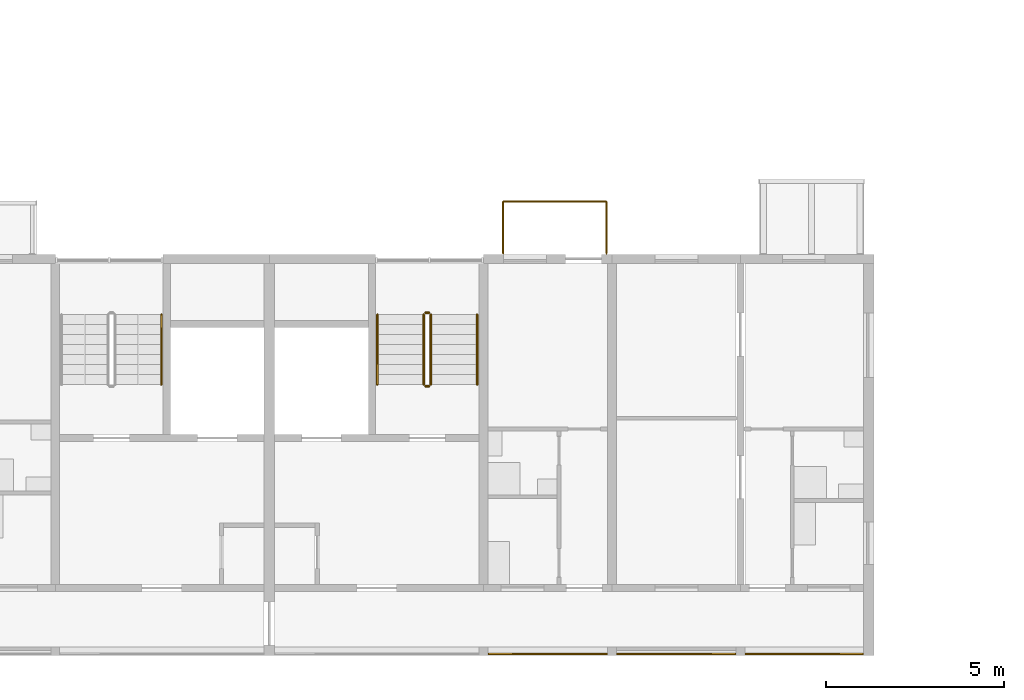
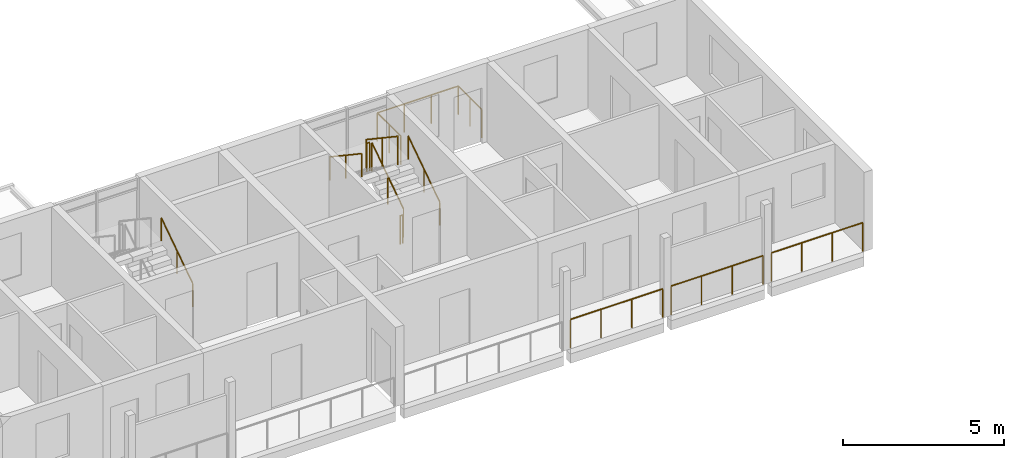
# One storey, part 83 of 98: 11 railings.
"""IFC4 building model written with IfcOpenShell, lengths in metres."""

from ifc_helpers import new_model, si_unit, direction, frame, origin, origin_2d, place, context, subcontext, project, spatial, circle, extrude, material, type_object, element, save


model = new_model("IFC4")

# Units and contexts
model_context = context("Model", 3, precision=1e-05, world=origin(), true_north=direction((0.0, 1.0)))
body_context = subcontext(model_context, "Body", "Model", "MODEL_VIEW")
ifc_project = project(units=[si_unit("LENGTHUNIT", "METRE"), si_unit("AREAUNIT", "SQUARE_METRE"), si_unit("VOLUMEUNIT", "CUBIC_METRE"), si_unit("PLANEANGLEUNIT", "RADIAN"), si_unit("MASSUNIT", "GRAM", prefix="KILO")], contexts=[model_context])

# Site, building, storey
site_placement = place(None, origin())
site = spatial("IfcSite", under=ifc_project, at=site_placement, CompositionType="ELEMENT")
building_placement = place(site_placement, origin())
building = spatial("IfcBuilding", under=site, at=building_placement, Name="Ridgestep Commons", CompositionType="ELEMENT")
storey_placement = place(building_placement, frame((0.0, 0.0, 12.0)))
storey = spatial("IfcBuildingStorey", under=building, at=storey_placement, Name="L04", CompositionType="ELEMENT", Elevation=12.0)

# Railings
ifc_material_1 = material(Name="Structural steel S355JR", Category="steel")
railing_type_1 = type_object("IfcRailingType", Name="Guard 1100", PredefinedType="GUARDRAIL", material=ifc_material_1)
railing_1_placement = place(storey_placement, frame((102.14599609375, 11.800048828125, 0.0)))
element("IfcRailing", 1, at=railing_1_placement, inside=storey, type_object=railing_type_1, Name="Gallery guard A 04.22", PredefinedType="GUARDRAIL", context=body_context, shape_type="SweptSolid", body=[
    extrude(circle(Radius=0.02392578125, at=origin_2d()), frame((0.0, 0.0, 1.076171875), z_axis=(1.0, 0.0, 0.0), x_axis=(0.0, 1.0, 0.0)), (0.0, 0.0, 1.0), 3.30810546875),
    extrude(circle(Radius=0.02099609375, at=origin_2d()), origin(), (0.0, 0.0, 1.0), 1.052001953125),
    extrude(circle(Radius=0.02099609375, at=origin_2d()), frame((1.102783203125, 0.0, 0.0)), (0.0, 0.0, 1.0), 1.052001953125),
    extrude(circle(Radius=0.02099609375, at=origin_2d()), frame((2.205322265625, 0.0, 0.0)), (0.0, 0.0, 1.0), 1.052001953125),
    extrude(circle(Radius=0.02099609375, at=origin_2d()), frame((3.30810546875, 0.0, 0.0)), (0.0, 0.0, 1.0), 1.052001953125),
])
railing_2_placement = place(storey_placement, frame((105.74609375, 11.800048828125, 0.0)))
element("IfcRailing", 2, at=railing_2_placement, inside=storey, type_object=railing_type_1, Name="Gallery guard A 04.23", PredefinedType="GUARDRAIL", context=body_context, shape_type="SweptSolid", body=[
    extrude(circle(Radius=0.02392578125, at=origin_2d()), frame((0.0, 0.0, 1.076171875), z_axis=(1.0, 0.0, 0.0), x_axis=(0.0, 1.0, 0.0)), (0.0, 0.0, 1.0), 3.307861328125),
    extrude(circle(Radius=0.02099609375, at=origin_2d()), origin(), (0.0, 0.0, 1.0), 1.052001953125),
    extrude(circle(Radius=0.02099609375, at=origin_2d()), frame((1.1025390625, 0.0, 0.0)), (0.0, 0.0, 1.0), 1.052001953125),
    extrude(circle(Radius=0.02099609375, at=origin_2d()), frame((2.205322265625, 0.0, 0.0)), (0.0, 0.0, 1.0), 1.052001953125),
    extrude(circle(Radius=0.02099609375, at=origin_2d()), frame((3.307861328125, 0.0, 0.0)), (0.0, 0.0, 1.0), 1.052001953125),
])
railing_3_placement = place(storey_placement, frame((109.345947265625, 11.800048828125, 0.0)))
element("IfcRailing", 3, at=railing_3_placement, inside=storey, type_object=railing_type_1, Name="Gallery guard A 04.24", PredefinedType="GUARDRAIL", context=body_context, shape_type="SweptSolid", body=[
    extrude(circle(Radius=0.02392578125, at=origin_2d()), frame((0.0, 0.0, 1.076171875), z_axis=(1.0, 0.0, 0.0), x_axis=(0.0, 1.0, 0.0)), (0.0, 0.0, 1.0), 3.282958984375),
    extrude(circle(Radius=0.02099609375, at=origin_2d()), origin(), (0.0, 0.0, 1.0), 1.052001953125),
    extrude(circle(Radius=0.02099609375, at=origin_2d()), frame((1.09423828125, 0.0, 0.0)), (0.0, 0.0, 1.0), 1.052001953125),
    extrude(circle(Radius=0.02099609375, at=origin_2d()), frame((2.188720703125, 0.0, 0.0)), (0.0, 0.0, 1.0), 1.052001953125),
    extrude(circle(Radius=0.02099609375, at=origin_2d()), frame((3.282958984375, 0.0, 0.0)), (0.0, 0.0, 1.0), 1.052001953125),
])
ifc_material_2 = material(Name="Structural steel S355JR", Category="steel")
railing_type_2 = type_object("IfcRailingType", Name="Stair guard 1100", PredefinedType="GUARDRAIL", material=ifc_material_2)
railing_4_placement = place(storey_placement, frame((100.52490234375, 19.35009765625, 0.1875)))
element("IfcRailing", 4, at=railing_4_placement, inside=storey, type_object=railing_type_2, Name="L04 A6C stair guard 1", PredefinedType="GUARDRAIL", context=body_context, shape_type="SweptSolid", body=[
    extrude(circle(Radius=0.02392578125, at=origin_2d()), frame((0.0, 0.0, 1.076171875), z_axis=(0.0, 0.830902050051, 0.556418712142), x_axis=(-1.0, 0.0, 0.0)), (0.0, 0.0, 1.0), 2.35888671875),
    extrude(circle(Radius=0.02099609375, at=origin_2d()), origin(), (0.0, 0.0, 1.0), 1.052001953125),
    extrude(circle(Radius=0.02099609375, at=origin_2d()), frame((0.0, 0.97998046875, 0.65625)), (0.0, 0.0, 1.0), 1.052001953125),
    extrude(circle(Radius=0.02099609375, at=origin_2d()), frame((0.0, 1.9599609375, 1.3125)), (0.0, 0.0, 1.0), 1.052001953125),
])
railing_5_placement = place(storey_placement, frame((100.47509765625, 21.360107421875, 1.5)))
element("IfcRailing", 5, at=railing_5_placement, inside=storey, type_object=railing_type_2, Name="L04 A6C stair guard 2", PredefinedType="GUARDRAIL", context=body_context, shape_type="SweptSolid", body=[
    extrude(circle(Radius=0.02392578125, at=origin_2d()), frame((0.0, 0.0, 1.076171875), z_axis=(-1.0, 0.0, 0.0), x_axis=(0.0, -1.0, 0.0)), (0.0, 0.0, 1.0), 0.10009765625),
    extrude(circle(Radius=0.02099609375, at=origin_2d()), origin(), (0.0, 0.0, 1.0), 1.052001953125),
    extrude(circle(Radius=0.02099609375, at=origin_2d()), frame((-0.10009765625, 0.0, 0.0)), (0.0, 0.0, 1.0), 1.052001953125),
])
railing_6_placement = place(storey_placement, frame((100.324951171875, 21.31005859375, 1.6875)))
element("IfcRailing", 6, at=railing_6_placement, inside=storey, type_object=railing_type_2, Name="L04 A6C stair guard 3", PredefinedType="GUARDRAIL", context=body_context, shape_type="SweptSolid", body=[
    extrude(circle(Radius=0.02392578125, at=origin_2d()), frame((0.0, 0.0, 1.076171875), z_axis=(0.0, -0.830902050051, 0.556418712142), x_axis=(1.0, 0.0, 0.0)), (0.0, 0.0, 1.0), 2.35888671875),
    extrude(circle(Radius=0.02099609375, at=origin_2d()), origin(), (0.0, 0.0, 1.0), 1.052001953125),
    extrude(circle(Radius=0.02099609375, at=origin_2d()), frame((0.0, -0.97998046875, 0.65625)), (0.0, 0.0, 1.0), 1.052001953125),
    extrude(circle(Radius=0.02099609375, at=origin_2d()), frame((0.0, -1.9599609375, 1.3125)), (0.0, 0.0, 1.0), 1.052001953125),
])
railing_7_placement = place(storey_placement, frame((100.47509765625, 19.300048828125, 0.0)))
element("IfcRailing", 7, at=railing_7_placement, inside=storey, type_object=railing_type_2, Name="L04 A6C stair guard 4", PredefinedType="GUARDRAIL", context=body_context, shape_type="SweptSolid", body=[
    extrude(circle(Radius=0.02392578125, at=origin_2d()), frame((0.0, 0.0, 1.076171875), z_axis=(-1.0, 0.0, 0.0), x_axis=(0.0, -1.0, 0.0)), (0.0, 0.0, 1.0), 0.10009765625),
    extrude(circle(Radius=0.02099609375, at=origin_2d()), origin(), (0.0, 0.0, 1.0), 1.052001953125),
    extrude(circle(Radius=0.02099609375, at=origin_2d()), frame((-0.10009765625, 0.0, 0.0)), (0.0, 0.0, 1.0), 1.052001953125),
])
ifc_material_3 = material(Name="Structural steel S355JR", Category="steel")
railing_type_3 = type_object("IfcRailingType", Name="Stair handrail 900", PredefinedType="HANDRAIL", material=ifc_material_3)
for number, where, name in (
    (8, (92.97509765625, 19.35009765625, 0.1875), "L04 A5C stair handrail 1"),
    (9, (101.824951171875, 19.35009765625, 0.1875), "L04 A6C stair handrail 1"),
):
    element("IfcRailing", number, at=place(storey_placement, frame(where)), inside=storey, type_object=railing_type_3, Name=name, PredefinedType="HANDRAIL", context=body_context, shape_type="SweptSolid", body=[
        extrude(circle(Radius=0.02392578125, at=origin_2d()), frame((0.0, 0.0, 0.8759765625), z_axis=(0.0, 0.830902050051, 0.556418712142), x_axis=(-1.0, 0.0, 0.0)), (0.0, 0.0, 1.0), 2.35888671875),
        extrude(circle(Radius=0.02099609375, at=origin_2d()), origin(), (0.0, 0.0, 1.0), 0.851806640625),
        extrude(circle(Radius=0.02099609375, at=origin_2d()), frame((0.0, 0.97998046875, 0.65625)), (0.0, 0.0, 1.0), 0.851806640625),
        extrude(circle(Radius=0.02099609375, at=origin_2d()), frame((0.0, 1.9599609375, 1.3125)), (0.0, 0.0, 1.0), 0.851806640625),
    ])
railing_8_placement = place(storey_placement, frame((99.02490234375, 21.31005859375, 1.6875)))
element("IfcRailing", 10, at=railing_8_placement, inside=storey, type_object=railing_type_3, Name="L04 A6C stair handrail 2", PredefinedType="HANDRAIL", context=body_context, shape_type="SweptSolid", body=[
    extrude(circle(Radius=0.02392578125, at=origin_2d()), frame((0.0, 0.0, 0.8759765625), z_axis=(0.0, -0.830902050051, 0.556418712142), x_axis=(1.0, 0.0, 0.0)), (0.0, 0.0, 1.0), 2.35888671875),
    extrude(circle(Radius=0.02099609375, at=origin_2d()), origin(), (0.0, 0.0, 1.0), 0.851806640625),
    extrude(circle(Radius=0.02099609375, at=origin_2d()), frame((0.0, -0.97998046875, 0.65625)), (0.0, 0.0, 1.0), 0.851806640625),
    extrude(circle(Radius=0.02099609375, at=origin_2d()), frame((0.0, -1.9599609375, 1.3125)), (0.0, 0.0, 1.0), 0.851806640625),
])
ifc_material_4 = material(Name="Weathering steel S355J2W", Category="steel")
railing_type_4 = type_object("IfcRailingType", Name="Tray guard 1100", PredefinedType="GUARDRAIL", material=ifc_material_4)
railing_9_placement = place(storey_placement, frame((102.551025390625, 23.02099609375, 0.0)))
element("IfcRailing", 11, at=railing_9_placement, inside=storey, type_object=railing_type_4, Name="Tray guard A6T3-04", PredefinedType="GUARDRAIL", context=body_context, shape_type="SweptSolid", body=[
    extrude(circle(Radius=0.02392578125, at=origin_2d()), frame((0.0, 0.0, 1.076171875), z_axis=(0.0, 1.0, 0.0), x_axis=(-1.0, 0.0, 0.0)), (0.0, 0.0, 1.0), 1.4580078125),
    extrude(circle(Radius=0.02392578125, at=origin_2d()), frame((0.0, 1.4580078125, 1.076171875), z_axis=(1.0, 0.0, 0.0), x_axis=(0.0, 1.0, 0.0)), (0.0, 0.0, 1.0), 2.89794921875),
    extrude(circle(Radius=0.02392578125, at=origin_2d()), frame((2.89794921875, 1.4580078125, 1.076171875), z_axis=(0.0, -1.0, 0.0), x_axis=(1.0, 0.0, 0.0)), (0.0, 0.0, 1.0), 1.4580078125),
    extrude(circle(Radius=0.02099609375, at=origin_2d()), origin(), (0.0, 0.0, 1.0), 1.052001953125),
    extrude(circle(Radius=0.02099609375, at=origin_2d()), frame((0.0, 0.72900390625, 0.0)), (0.0, 0.0, 1.0), 1.052001953125),
    extrude(circle(Radius=0.02099609375, at=origin_2d()), frame((0.0, 1.4580078125, 0.0)), (0.0, 0.0, 1.0), 1.052001953125),
    extrude(circle(Radius=0.02099609375, at=origin_2d()), frame((0.966064453125, 1.4580078125, 0.0)), (0.0, 0.0, 1.0), 1.052001953125),
    extrude(circle(Radius=0.02099609375, at=origin_2d()), frame((1.931884765625, 1.4580078125, 0.0)), (0.0, 0.0, 1.0), 1.052001953125),
    extrude(circle(Radius=0.02099609375, at=origin_2d()), frame((2.89794921875, 1.4580078125, 0.0)), (0.0, 0.0, 1.0), 1.052001953125),
    extrude(circle(Radius=0.02099609375, at=origin_2d()), frame((2.89794921875, 0.72900390625, 0.0)), (0.0, 0.0, 1.0), 1.052001953125),
    extrude(circle(Radius=0.02099609375, at=origin_2d()), frame((2.89794921875, 0.0, 0.0)), (0.0, 0.0, 1.0), 1.052001953125),
])

save(model, "model.ifc")
